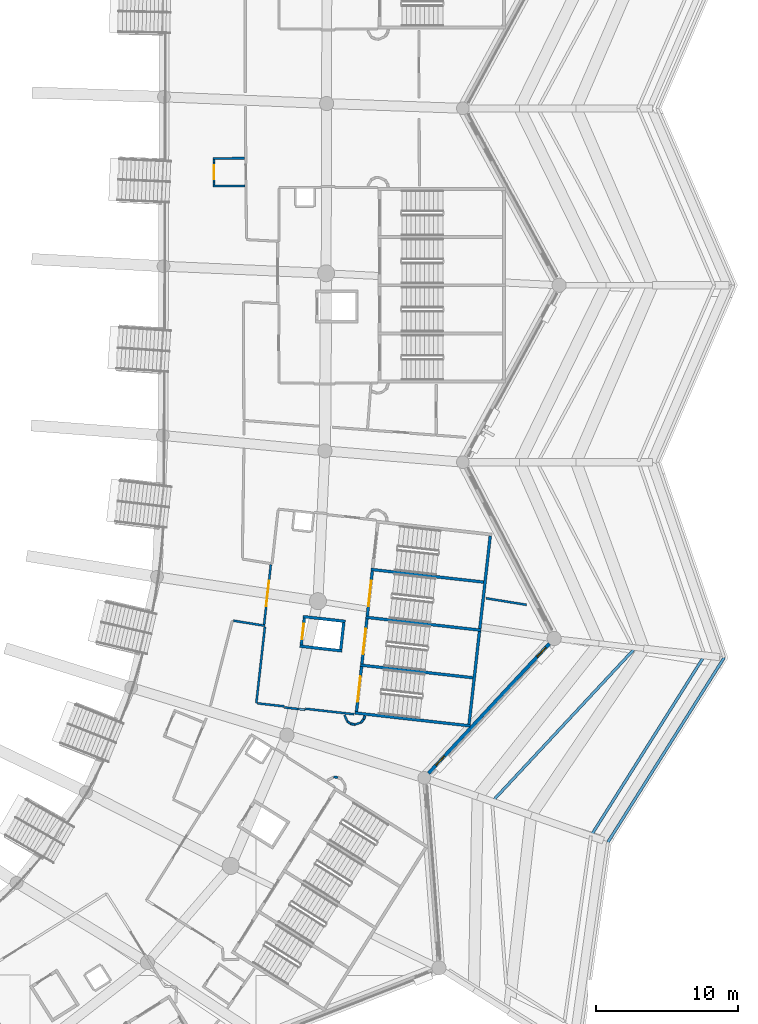
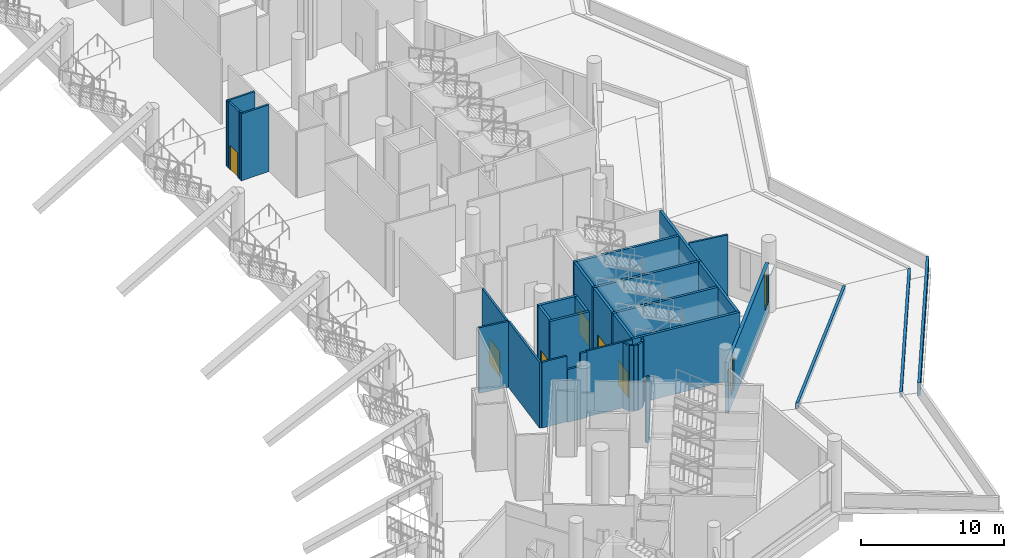
# One storey, part 56 of 173: 37 walls, 6 doors, 2 windows, 8 openings.
"""IFC4 building model written with IfcOpenShell, lengths in metres."""

from ifc_helpers import new_model, si_unit, direction, frame, frame_2d, origin, place, context, subcontext, project, spatial, rectangle, extrude, material, layer, layer_set, type_object, element, fill, save


model = new_model("IFC4")

# Units and contexts
model_context = context("Model", 3, precision=1e-05, world=origin(), true_north=direction((0.0, 1.0)))
body_context = subcontext(model_context, "Body", "Model", "MODEL_VIEW")
ifc_project = project(units=[si_unit("LENGTHUNIT", "METRE"), si_unit("AREAUNIT", "SQUARE_METRE"), si_unit("VOLUMEUNIT", "CUBIC_METRE"), si_unit("PLANEANGLEUNIT", "RADIAN"), si_unit("MASSUNIT", "GRAM", prefix="KILO")], contexts=[model_context])

# Site, building, storey
site_placement = place(None, origin())
site = spatial("IfcSite", under=ifc_project, at=site_placement, CompositionType="ELEMENT")
building_placement = place(site_placement, origin())
building = spatial("IfcBuilding", under=site, at=building_placement, Name="Meseta Stadium", CompositionType="ELEMENT")
storey_placement = place(building_placement, frame((0.0, 0.0, 18.0)))
storey = spatial("IfcBuildingStorey", under=building, at=storey_placement, Name="L03", CompositionType="ELEMENT", Elevation=18.0)

# Walls
ifc_material_1 = material(Name="Concrete C40/50", Category="concrete")
ifc_layer_1 = layer(ifc_material_1, 0.199951171875)
ifc_layer_set_1 = layer_set([ifc_layer_1], Name="Core divider wall 200")
wall_type_1 = type_object("IfcWallType", Name="Core divider wall 200", PredefinedType="SHEAR", material=ifc_layer_set_1)
wall_1_placement = place(storey_placement, frame((95.503662109375, -58.999267578125, 0.0), z_axis=(0.0, 0.0, 1.0), x_axis=(-0.993710792168, 0.111977058046, 0.0)))
element("IfcWall", 1, at=wall_1_placement, inside=storey, type_object=wall_type_1, Name="Core 01 L03 stair A divider wall", PredefinedType="SHEAR", context=body_context, shape_type="SweptSolid", body=[
    extrude(rectangle(XDim=8.199951171875, YDim=0.199951171875, at=frame_2d((4.10009765625, 0.0))), origin(), (0.0, 0.0, 1.0), 5.60009765625),
])
wall_2_placement = place(storey_placement, frame((96.264892578125, -52.241943359375, 0.0), z_axis=(0.0, 0.0, 1.0), x_axis=(-0.993713731549, 0.111950970206, 0.0)))
element("IfcWall", 2, at=wall_2_placement, inside=storey, type_object=wall_type_1, Name="Core 01 L03 stair B divider wall", PredefinedType="SHEAR", context=body_context, shape_type="SweptSolid", body=[
    extrude(rectangle(XDim=8.19970703125, YDim=0.199951171875, at=frame_2d((4.099853515625, 0.0))), origin(), (0.0, 0.0, 1.0), 5.60009765625),
])
ifc_material_2 = material(Name="Concrete C40/50", Category="concrete")
ifc_layer_2 = layer(ifc_material_2, 0.199951171875)
ifc_layer_set_2 = layer_set([ifc_layer_2], Name="Core shaft wall 200")
wall_type_2 = type_object("IfcWallType", Name="Core shaft wall 200", PredefinedType="SHEAR", material=ifc_layer_set_2)
wall_3_placement = place(storey_placement, frame((95.123046875, -62.3779296875, 0.0), z_axis=(0.0, 0.0, 1.0), x_axis=(-0.993710792168, 0.111977058046, 0.0)))
element("IfcWall", 3, at=wall_3_placement, inside=storey, type_object=wall_type_2, Name="Core 01 L03 stair wall A-side", PredefinedType="SHEAR", context=body_context, shape_type="SweptSolid", body=[
    extrude(rectangle(XDim=8.199951171875, YDim=0.199951171875, at=frame_2d((4.10009765625, 0.0))), origin(), (0.0, 0.0, 1.0), 5.60009765625),
])
wall_4_placement = place(storey_placement, frame((95.884521484375, -55.62060546875, 0.0), z_axis=(0.0, 0.0, 1.0), x_axis=(-0.993711165474, 0.111973745194, 0.0)))
element("IfcWall", 4, at=wall_4_placement, inside=storey, type_object=wall_type_2, Name="Core 01 L03 stair wall shared", PredefinedType="SHEAR", context=body_context, shape_type="SweptSolid", body=[
    extrude(rectangle(XDim=8.2001953125, YDim=0.199951171875, at=frame_2d((4.10009765625, 0.0))), origin(), (0.0, 0.0, 1.0), 5.60009765625),
])
for number, where, z_axis, x_axis, name in (
    (5, (95.034912109375, -62.267333984375, 0.0), (0.0, 0.0, 1.0), (0.111933579504, 0.993715690617, 0.0), "Core 01 L03 stair A outer end wall"),
    (6, (95.796142578125, -55.510009765625, 0.0), (0.0, 0.0, 1.0), (0.111970106426, 0.993711575492, 0.0), "Core 01 L03 stair B outer end wall"),
):
    element("IfcWall", number, at=place(storey_placement, frame(where, z_axis=z_axis, x_axis=x_axis)), inside=storey, type_object=wall_type_2, Name=name, PredefinedType="SHEAR", context=body_context, shape_type="SweptSolid", body=[
        extrude(rectangle(XDim=6.60009765625, YDim=0.199951171875, at=frame_2d((3.300048828125, 0.0))), origin(), (0.0, 0.0, 1.0), 5.60009765625),
    ])

# Wall, opening, door
wall_5_placement = place(storey_placement, frame((87.085205078125, -61.37158203125, 0.0), z_axis=(0.0, 0.0, 1.0), x_axis=(0.11192190762, 0.993717005286, 0.0)))
wall_5 = element("IfcWall", 7, at=wall_5_placement, inside=storey, type_object=wall_type_2, Name="Core 01 L03 stair A1 inner end wall", PredefinedType="SHEAR", context=body_context, shape_type="SweptSolid", body=[
    extrude(rectangle(XDim=3.199951171875, YDim=0.199951171875, at=frame_2d((1.60009765625, 0.0))), origin(), (0.0, 0.0, 1.0), 5.60009765625),
])
opening_1_placement = place(wall_5_placement, frame((0.699951171875, 0.0, 0.0)))
opening_1 = element("IfcOpeningElement", 8, at=opening_1_placement, cuts=wall_5, Name="Opening D1471", PredefinedType="OPENING", context=body_context, shape_type="SweptSolid", body=[
    extrude(rectangle(XDim=1.800048828125, YDim=2.10009765625, at=frame_2d((0.89990234375, 1.050048828125))), frame((0.0, 0.10986328125, 0.0), z_axis=(0.0, -1.0, 0.0), x_axis=(1.0, 0.0, 0.0)), (0.0, 0.0, 1.0), 0.219970703125),
])
ifc_material_3 = material(Name="Steel", Category="steel")
door_type_1 = type_object("IfcDoorType", Name="Stair door 1800x2100", OperationType="DOUBLE_DOOR_SINGLE_SWING", PredefinedType="DOOR", material=ifc_material_3)
door_1_placement = place(opening_1_placement, origin())
door_1 = element("IfcDoor", 9, at=door_1_placement, inside=storey, type_object=door_type_1, Name="Stair A1 door 01 L03", OperationType="DOUBLE_DOOR_SINGLE_SWING", OverallHeight=2.10009765625, OverallWidth=1.800048828125, PredefinedType="DOOR", context=body_context, shape_type="SweptSolid", body=[
    extrude(rectangle(XDim=1.800048828125, YDim=2.10009765625, at=frame_2d((0.89990234375, 1.050048828125))), frame((0.0, 0.02490234375, 0.0), z_axis=(0.0, -1.0, 0.0), x_axis=(1.0, 0.0, 0.0)), (0.0, 0.0, 1.0), 0.050048828125),
])
fill(opening_1, door_1)

wall_6_placement = place(storey_placement, frame((87.4658203125, -57.992919921875, 0.0), z_axis=(0.0, 0.0, 1.0), x_axis=(0.111997244021, 0.993708517288, 0.0)))
wall_6 = element("IfcWall", 10, at=wall_6_placement, inside=storey, type_object=wall_type_2, Name="Core 01 L03 stair A2 inner end wall", PredefinedType="SHEAR", context=body_context, shape_type="SweptSolid", body=[
    extrude(rectangle(XDim=3.199951171875, YDim=0.199951171875, at=frame_2d((1.60009765625, 0.0))), origin(), (0.0, 0.0, 1.0), 5.60009765625),
])
opening_2_placement = place(wall_6_placement, frame((0.699951171875, 0.0, 0.0)))
opening_2 = element("IfcOpeningElement", 11, at=opening_2_placement, cuts=wall_6, Name="Opening D1473", PredefinedType="OPENING", context=body_context, shape_type="SweptSolid", body=[
    extrude(rectangle(XDim=1.800048828125, YDim=2.10009765625, at=frame_2d((0.89990234375, 1.050048828125))), frame((0.0, 0.10986328125, 0.0), z_axis=(0.0, -1.0, 0.0), x_axis=(1.0, 0.0, 0.0)), (0.0, 0.0, 1.0), 0.219970703125),
])
door_2_placement = place(opening_2_placement, origin())
door_2 = element("IfcDoor", 12, at=door_2_placement, inside=storey, type_object=door_type_1, Name="Stair A2 door 01 L03", OperationType="DOUBLE_DOOR_SINGLE_SWING", OverallHeight=2.10009765625, OverallWidth=1.800048828125, PredefinedType="DOOR", context=body_context, shape_type="SweptSolid", body=[
    extrude(rectangle(XDim=1.800048828125, YDim=2.10009765625, at=frame_2d((0.89990234375, 1.050048828125))), frame((0.0, 0.02490234375, 0.0), z_axis=(0.0, -1.0, 0.0), x_axis=(1.0, 0.0, 0.0)), (0.0, 0.0, 1.0), 0.050048828125),
])
fill(opening_2, door_2)

wall_7_placement = place(storey_placement, frame((87.846435546875, -54.6142578125, 0.0), z_axis=(0.0, 0.0, 1.0), x_axis=(0.112005735442, 0.993707560215, 0.0)))
wall_7 = element("IfcWall", 13, at=wall_7_placement, inside=storey, type_object=wall_type_2, Name="Core 01 L03 stair B1 inner end wall", PredefinedType="SHEAR", context=body_context, shape_type="SweptSolid", body=[
    extrude(rectangle(XDim=3.19970703125, YDim=0.199951171875, at=frame_2d((1.599853515625, 0.0))), origin(), (0.0, 0.0, 1.0), 5.60009765625),
])
opening_3_placement = place(wall_7_placement, frame((0.699951171875, 0.0, 0.0)))
opening_3 = element("IfcOpeningElement", 14, at=opening_3_placement, cuts=wall_7, Name="Opening D1474", PredefinedType="OPENING", context=body_context, shape_type="SweptSolid", body=[
    extrude(rectangle(XDim=1.800048828125, YDim=2.10009765625, at=frame_2d((0.89990234375, 1.050048828125))), frame((0.0, 0.10986328125, 0.0), z_axis=(0.0, -1.0, 0.0), x_axis=(1.0, 0.0, 0.0)), (0.0, 0.0, 1.0), 0.219970703125),
])
door_3_placement = place(opening_3_placement, origin())
door_3 = element("IfcDoor", 15, at=door_3_placement, inside=storey, type_object=door_type_1, Name="Stair B1 door 01 L03", OperationType="DOUBLE_DOOR_SINGLE_SWING", OverallHeight=2.10009765625, OverallWidth=1.800048828125, PredefinedType="DOOR", context=body_context, shape_type="SweptSolid", body=[
    extrude(rectangle(XDim=1.800048828125, YDim=2.10009765625, at=frame_2d((0.89990234375, 1.050048828125))), frame((0.0, 0.02490234375, 0.0), z_axis=(0.0, -1.0, 0.0), x_axis=(1.0, 0.0, 0.0)), (0.0, 0.0, 1.0), 0.050048828125),
])
fill(opening_3, door_3)

# Walls
for number, where, z_axis, x_axis, name in (
    (16, (86.05908203125, -57.07958984375, 0.0), (0.0, 0.0, 1.0), (-0.993718878013, 0.111905279056, 0.0), "Core 01 L03 lift shaft wall left"),
    (17, (86.294189453125, -54.992919921875, 0.0), (0.0, 0.0, 1.0), (-0.993709824566, 0.111985644439, 0.0), "Core 01 L03 lift shaft wall right"),
):
    element("IfcWall", number, at=place(storey_placement, frame(where, z_axis=z_axis, x_axis=x_axis)), inside=storey, type_object=wall_type_2, Name=name, PredefinedType="SHEAR", context=body_context, shape_type="SweptSolid", body=[
        extrude(rectangle(XDim=2.999755859375, YDim=0.199951171875, at=frame_2d((1.5, 0.0))), origin(), (0.0, 0.0, 1.0), 5.60009765625),
    ])
wall_8_placement = place(storey_placement, frame((85.970947265625, -56.96923828125, 0.0), z_axis=(0.0, 0.0, 1.0), x_axis=(0.112039012324, 0.993703808847, 0.0)))
element("IfcWall", 18, at=wall_8_placement, inside=storey, type_object=wall_type_2, Name="Core 01 L03 lift shaft back wall", PredefinedType="SHEAR", context=body_context, shape_type="SweptSolid", body=[
    extrude(rectangle(XDim=1.900146484375, YDim=0.199951171875, at=frame_2d((0.9501953125, 0.0))), origin(), (0.0, 0.0, 1.0), 5.60009765625),
])

# Wall, opening, door
wall_9_placement = place(storey_placement, frame((83.188720703125, -56.65576171875, 0.0), z_axis=(0.0, 0.0, 1.0), x_axis=(0.11191213732, 0.993718105662, 0.0)))
wall_9 = element("IfcWall", 19, at=wall_9_placement, inside=storey, type_object=wall_type_2, Name="Core 01 L03 lift shaft front wall", PredefinedType="SHEAR", context=body_context, shape_type="SweptSolid", body=[
    extrude(rectangle(XDim=1.900146484375, YDim=0.199951171875, at=frame_2d((0.9501953125, 0.0))), origin(), (0.0, 0.0, 1.0), 5.60009765625),
])
opening_4_placement = place(wall_9_placement, frame((0.39990234375, 0.0, 0.0)))
opening_4 = element("IfcOpeningElement", 20, at=opening_4_placement, cuts=wall_9, Name="Opening LD5", PredefinedType="OPENING", context=body_context, shape_type="SweptSolid", body=[
    extrude(rectangle(XDim=1.10009765625, YDim=2.10009765625, at=frame_2d((0.550048828125, 1.050048828125))), frame((0.0, 0.10986328125, 0.0), z_axis=(0.0, -1.0, 0.0), x_axis=(1.0, 0.0, 0.0)), (0.0, 0.0, 1.0), 0.219970703125),
])
ifc_material_4 = material(Name="Steel", Category="steel")
door_type_2 = type_object("IfcDoorType", Name="Lift landing door 1100x2100", OperationType="SLIDING_TO_LEFT", PredefinedType="DOOR", material=ifc_material_4)
door_4_placement = place(opening_4_placement, origin())
door_4 = element("IfcDoor", 21, at=door_4_placement, inside=storey, type_object=door_type_2, Name="Lift landing door LD5", OperationType="SLIDING_TO_LEFT", OverallHeight=2.10009765625, OverallWidth=1.10009765625, PredefinedType="DOOR", context=body_context, shape_type="SweptSolid", body=[
    extrude(rectangle(XDim=1.10009765625, YDim=2.10009765625, at=frame_2d((0.550048828125, 1.050048828125))), frame((0.0, 0.02490234375, 0.0), z_axis=(0.0, -1.0, 0.0), x_axis=(1.0, 0.0, 0.0)), (0.0, 0.0, 1.0), 0.050048828125),
])
fill(opening_4, door_4)

# Walls
ifc_material_5 = material(Name="Masonry blockwork", Category="masonry")
ifc_layer_3 = layer(ifc_material_5, 0.14990234375)
ifc_layer_set_3 = layer_set([ifc_layer_3], Name="Partition 150")
wall_type_3 = type_object("IfcWallType", Name="Partition 150", PredefinedType="PARTITIONING", material=ifc_layer_set_3)
wall_10_placement = place(storey_placement, frame((99.100341796875, -53.82373046875, 0.0), z_axis=(0.0, 0.0, 1.0), x_axis=(-0.987267596089, 0.159068204593, 0.0)))
element("IfcWall", 22, at=wall_10_placement, inside=storey, type_object=wall_type_3, Name="Partition L03 L03-cell00-1-0w", PredefinedType="PARTITIONING", context=body_context, shape_type="SweptSolid", body=[
    extrude(rectangle(XDim=2.897705078125, YDim=0.14990234375, at=frame_2d((1.44873046875, 0.0))), origin(), (0.0, 0.0, 1.0), 5.60009765625),
])
wall_11_placement = place(storey_placement, frame((78.3935546875, -54.9453125, 0.0), z_axis=(0.0, 0.0, 1.0), x_axis=(0.98726467594, -0.159086327639, 0.0)))
element("IfcWall", 23, at=wall_11_placement, inside=storey, type_object=wall_type_3, Name="Partition L03 L03-cell27-1-0", PredefinedType="PARTITIONING", context=body_context, shape_type="SweptSolid", body=[
    extrude(rectangle(XDim=2.259033203125, YDim=0.14990234375, at=frame_2d((1.12939453125, 0.0))), origin(), (0.0, 0.0, 1.0), 5.60009765625),
])
wall_12_placement = place(storey_placement, frame((80.615478515625, -55.379150390625, 0.0), z_axis=(0.0, 0.0, 1.0), x_axis=(-0.111990669248, -0.993709258285, 0.0)))
element("IfcWall", 24, at=wall_12_placement, inside=storey, type_object=wall_type_3, Name="Partition L03 L03-cell27-1-0", PredefinedType="PARTITIONING", context=body_context, shape_type="SweptSolid", body=[
    extrude(rectangle(XDim=5.430419921875, YDim=0.14990234375, at=frame_2d((2.71533203125, 0.0))), origin(), (0.0, 0.0, 1.0), 5.60009765625),
])
wall_13_placement = place(storey_placement, frame((80.081787109375, -60.78369140625, 0.0), z_axis=(0.0, 0.0, 1.0), x_axis=(0.993706666168, -0.112013667081, 0.0)))
element("IfcWall", 25, at=wall_13_placement, inside=storey, type_object=wall_type_3, Name="Partition L03 L03-cell27-1-0", PredefinedType="PARTITIONING", context=body_context, shape_type="SweptSolid", body=[
    extrude(rectangle(XDim=1.91357421875, YDim=0.14990234375, at=frame_2d((0.956787109375, 0.0))), origin(), (0.0, 0.0, 1.0), 5.60009765625),
])
wall_14_placement = place(storey_placement, frame((83.465576171875, -61.1650390625, 0.0), z_axis=(0.0, 0.0, 1.0), x_axis=(0.993711425552, -0.111971437107, 0.0)))
element("IfcWall", 26, at=wall_14_placement, inside=storey, type_object=wall_type_3, Name="Partition L03 L03-cell27-1-0", PredefinedType="PARTITIONING", context=body_context, shape_type="SweptSolid", body=[
    extrude(rectangle(XDim=3.47998046875, YDim=0.14990234375, at=frame_2d((1.739990234375, 0.0))), origin(), (0.0, 0.0, 1.0), 5.60009765625),
])

# Wall, opening, door
wall_15_placement = place(storey_placement, frame((81.034423828125, -50.99072265625, 0.0), z_axis=(0.0, 0.0, 1.0), x_axis=(-0.111964336601, -0.993712225611, 0.0)))
wall_15 = element("IfcWall", 27, at=wall_15_placement, inside=storey, type_object=wall_type_3, Name="Stair vestibule wall L03 core 01", PredefinedType="PARTITIONING", context=body_context, shape_type="SweptSolid", body=[
    extrude(rectangle(XDim=4.24755859375, YDim=0.14990234375, at=frame_2d((2.123779296875, 0.0))), origin(), (0.0, 0.0, 1.0), 5.60009765625),
])
opening_5_placement = place(wall_15_placement, frame((1.14990234375, 0.0, 0.0)))
opening_5 = element("IfcOpeningElement", 28, at=opening_5_placement, cuts=wall_15, Name="Opening D1456", PredefinedType="OPENING", context=body_context, shape_type="SweptSolid", body=[
    extrude(rectangle(XDim=1.800048828125, YDim=2.10009765625, at=frame_2d((0.89990234375, 1.050048828125))), frame((0.0, 0.0849609375, 0.0), z_axis=(0.0, -1.0, 0.0), x_axis=(1.0, 0.0, 0.0)), (0.0, 0.0, 1.0), 0.169921875),
])
ifc_material_6 = material(Name="Steel", Category="steel")
door_type_3 = type_object("IfcDoorType", Name="Fire double door 1800x2100 EI2 60", OperationType="DOUBLE_DOOR_SINGLE_SWING", PredefinedType="DOOR", material=ifc_material_6)
door_5_placement = place(opening_5_placement, origin())
door_5 = element("IfcDoor", 29, at=door_5_placement, inside=storey, type_object=door_type_3, Name="Stair vestibule door L03 core 01", OperationType="DOUBLE_DOOR_SINGLE_SWING", OverallHeight=2.10009765625, OverallWidth=1.800048828125, PredefinedType="DOOR", context=body_context, shape_type="SweptSolid", body=[
    extrude(rectangle(XDim=1.800048828125, YDim=2.10009765625, at=frame_2d((0.89990234375, 1.050048828125))), frame((0.0, 0.02490234375, 0.0), z_axis=(0.0, -1.0, 0.0), x_axis=(1.0, 0.0, 0.0)), (0.0, 0.0, 1.0), 0.050048828125),
])
fill(opening_5, door_5)

# Walls
wall_16_placement = place(storey_placement, frame((81.985107421875, -61.073486328125, 0.0), z_axis=(0.0, 0.0, 1.0), x_axis=(0.993708484681, -0.111997533338, 0.0)))
element("IfcWall", 30, at=wall_16_placement, inside=storey, type_object=wall_type_3, Name="Stair vestibule wall L03 core 01", PredefinedType="PARTITIONING", context=body_context, shape_type="SweptSolid", body=[
    extrude(rectangle(XDim=1.471435546875, YDim=0.14990234375, at=frame_2d((0.73583984375, 0.0))), origin(), (0.0, 0.0, 1.0), 4.5),
])
wall_17_placement = place(storey_placement, frame((82.959716796875, -61.18359375, 4.5), z_axis=(0.0, 0.0, 1.0), x_axis=(0.993767888304, -0.111469207301, 0.0)))
element("IfcWall", 31, at=wall_17_placement, inside=storey, type_object=wall_type_3, Name="Stair vestibule wall L03 core 01", PredefinedType="PARTITIONING", context=body_context, shape_type="SweptSolid", body=[
    extrude(rectangle(XDim=0.49072265625, YDim=0.14990234375, at=frame_2d((0.245361328125, 0.0))), origin(), (0.0, 0.0, 1.0), 1.10009765625),
])
wall_18_placement = place(storey_placement, frame((86.230712890625, -61.6064453125, 0.0), z_axis=(0.0, 0.0, 1.0), x_axis=(0.413545730988, -0.910483348767, 0.0)))
element("IfcWall", 32, at=wall_18_placement, inside=storey, type_object=wall_type_3, Name="Stair vestibule wall L03 core 01", PredefinedType="PARTITIONING", context=body_context, shape_type="SweptSolid", body=[
    extrude(rectangle(XDim=0.500732421875, YDim=0.14990234375, at=frame_2d((0.25048828125, 0.0))), origin(), (0.0, 0.0, 1.0), 5.60009765625),
])
wall_19_placement = place(storey_placement, frame((86.437744140625, -62.062255859375, 0.0), z_axis=(0.0, 0.0, 1.0), x_axis=(0.823647755069, -0.567101732998, 0.0)))
element("IfcWall", 33, at=wall_19_placement, inside=storey, type_object=wall_type_3, Name="Stair vestibule wall L03 core 01", PredefinedType="PARTITIONING", context=body_context, shape_type="SweptSolid", body=[
    extrude(rectangle(XDim=0.289306640625, YDim=0.14990234375, at=frame_2d((0.14453125, 0.0))), origin(), (0.0, 0.0, 1.0), 5.60009765625),
])
wall_20_placement = place(storey_placement, frame((86.676025390625, -62.226318359375, 0.0), z_axis=(0.0, 0.0, 1.0), x_axis=(0.97799972908, -0.20860615983, 0.0)))
element("IfcWall", 34, at=wall_20_placement, inside=storey, type_object=wall_type_3, Name="Stair vestibule wall L03 core 01", PredefinedType="PARTITIONING", context=body_context, shape_type="SweptSolid", body=[
    extrude(rectangle(XDim=0.2890625, YDim=0.14990234375, at=frame_2d((0.14453125, 0.0))), origin(), (0.0, 0.0, 1.0), 5.60009765625),
])
wall_21_placement = place(storey_placement, frame((86.958740234375, -62.28662109375, 0.0), z_axis=(0.0, 0.0, 1.0), x_axis=(0.946315679365, 0.323243924904, 0.0)))
element("IfcWall", 35, at=wall_21_placement, inside=storey, type_object=wall_type_3, Name="Stair vestibule wall L03 core 01", PredefinedType="PARTITIONING", context=body_context, shape_type="SweptSolid", body=[
    extrude(rectangle(XDim=0.4794921875, YDim=0.14990234375, at=frame_2d((0.23974609375, 0.0))), origin(), (0.0, 0.0, 1.0), 5.60009765625),
])
wall_22_placement = place(storey_placement, frame((87.41259765625, -62.131591796875, 0.0), z_axis=(0.0, 0.0, 1.0), x_axis=(0.645257808193, 0.763964895114, 0.0)))
element("IfcWall", 36, at=wall_22_placement, inside=storey, type_object=wall_type_3, Name="Stair vestibule wall L03 core 01", PredefinedType="PARTITIONING", context=body_context, shape_type="SweptSolid", body=[
    extrude(rectangle(XDim=0.287841796875, YDim=0.14990234375, at=frame_2d((0.14404296875, 0.0))), origin(), (0.0, 0.0, 1.0), 5.60009765625),
])
wall_23_placement = place(storey_placement, frame((87.598388671875, -61.91162109375, 0.0), z_axis=(0.0, 0.0, 1.0), x_axis=(0.337477145114, 0.941333722187, 0.0)))
element("IfcWall", 37, at=wall_23_placement, inside=storey, type_object=wall_type_3, Name="Stair vestibule wall L03 core 01", PredefinedType="PARTITIONING", context=body_context, shape_type="SweptSolid", body=[
    extrude(rectangle(XDim=0.257568359375, YDim=0.14990234375, at=frame_2d((0.12890625, 0.0))), origin(), (0.0, 0.0, 1.0), 5.60009765625),
])
wall_24_placement = place(storey_placement, frame((85.763427734375, -66.014892578125, 0.0), z_axis=(0.0, 0.0, 1.0), x_axis=(-0.997547794052, 0.06998856036, 0.0)))
element("IfcWall", 38, at=wall_24_placement, inside=storey, type_object=wall_type_3, Name="Stair vestibule wall L03 core 28", PredefinedType="PARTITIONING", context=body_context, shape_type="SweptSolid", body=[
    extrude(rectangle(XDim=0.28955078125, YDim=0.14990234375, at=frame_2d((0.144775390625, 0.0))), origin(), (0.0, 0.0, 1.0), 5.60009765625),
])
wall_25_placement = place(storey_placement, frame((79.205810546875, -24.222900390625, 0.0), z_axis=(0.0, 0.0, 1.0), x_axis=(-0.999965098525, -0.008354743119, 0.0)))
element("IfcWall", 39, at=wall_25_placement, inside=storey, type_object=wall_type_3, Name="Partition L03 L03-cell01-1-0 vestibule", PredefinedType="PARTITIONING", context=body_context, shape_type="SweptSolid", body=[
    extrude(rectangle(XDim=2.25, YDim=0.14990234375, at=frame_2d((1.125, 0.0))), origin(), (0.0, 0.0, 1.0), 5.69921875),
])
wall_26_placement = place(storey_placement, frame((79.189453125, -22.272705078125, 0.0), z_axis=(0.0, 0.0, 1.0), x_axis=(-0.999963262016, -0.008571733691, 0.0)))
element("IfcWall", 40, at=wall_26_placement, inside=storey, type_object=wall_type_3, Name="Partition L03 L03-cell01-1-0 vestibule", PredefinedType="PARTITIONING", context=body_context, shape_type="SweptSolid", body=[
    extrude(rectangle(XDim=2.25, YDim=0.14990234375, at=frame_2d((1.125, 0.0))), origin(), (0.0, 0.0, 1.0), 5.635498046875),
])
wall_27_placement = place(storey_placement, frame((77.0302734375, -24.166259765625, 0.0), z_axis=(0.0, 0.0, 1.0), x_axis=(-0.008546696379, 0.999963476324, 0.0)))
element("IfcWall", 41, at=wall_27_placement, inside=storey, type_object=wall_type_3, Name="Partition L03 L03-cell01-1-0 vestibule", PredefinedType="PARTITIONING", context=body_context, shape_type="SweptSolid", body=[
    extrude(rectangle(XDim=0.199951171875, YDim=0.14990234375, at=frame_2d((0.10009765625, 0.0))), origin(), (0.0, 0.0, 1.0), 5.7314453125),
])

# Wall, opening, door
wall_28_placement = place(storey_placement, frame((77.028564453125, -23.96630859375, 0.0), z_axis=(0.0, 0.0, 1.0), x_axis=(-0.008369366846, 0.999964976236, 0.0)))
wall_28 = element("IfcWall", 42, at=wall_28_placement, inside=storey, type_object=wall_type_3, Name="Partition L03 L03-cell01-1-0 vestibule", PredefinedType="PARTITIONING", context=body_context, shape_type="SweptSolid", body=[
    extrude(rectangle(XDim=1.400146484375, YDim=0.14990234375, at=frame_2d((0.7001953125, 0.0))), origin(), (0.0, 0.0, 1.0), 5.691162109375),
])
opening_6_placement = place(wall_28_placement, frame((0.199951171875, 0.0, 0.0)))
opening_6 = element("IfcOpeningElement", 43, at=opening_6_placement, cuts=wall_28, Name="Opening D1447", PredefinedType="OPENING", context=body_context, shape_type="SweptSolid", body=[
    extrude(rectangle(XDim=1.0, YDim=2.10009765625, at=frame_2d((0.5, 1.050048828125))), frame((0.0, 0.0849609375, 0.0), z_axis=(0.0, -1.0, 0.0), x_axis=(1.0, 0.0, 0.0)), (0.0, 0.0, 1.0), 0.169921875),
])
ifc_material_7 = material(Name="Steel", Category="steel")
door_type_4 = type_object("IfcDoorType", Name="Fire door 1000x2100 EI2 60", OperationType="NOTDEFINED", PredefinedType="DOOR", material=ifc_material_7)
door_6_placement = place(opening_6_placement, origin())
door_6 = element("IfcDoor", 44, at=door_6_placement, inside=storey, type_object=door_type_4, Name="Vestibule door L03 L03-cell01-1-0", OperationType="SINGLE_SWING_RIGHT", OverallHeight=2.10009765625, OverallWidth=1.0, PredefinedType="DOOR", context=body_context, shape_type="SweptSolid", body=[
    extrude(rectangle(XDim=1.0, YDim=2.10009765625, at=frame_2d((0.5, 1.050048828125))), frame((0.0, 0.02490234375, 0.0), z_axis=(0.0, -1.0, 0.0), x_axis=(1.0, 0.0, 0.0)), (0.0, 0.0, 1.0), 0.050048828125),
])
fill(opening_6, door_6)

# Walls
wall_29_placement = place(storey_placement, frame((77.016845703125, -22.566162109375, 0.0), z_axis=(0.0, 0.0, 1.0), x_axis=(-0.008546696379, 0.999963476324, 0.0)))
element("IfcWall", 45, at=wall_29_placement, inside=storey, type_object=wall_type_3, Name="Partition L03 L03-cell01-1-0 vestibule", PredefinedType="PARTITIONING", context=body_context, shape_type="SweptSolid", body=[
    extrude(rectangle(XDim=0.199951171875, YDim=0.14990234375, at=frame_2d((0.10009765625, 0.0))), origin(), (0.0, 0.0, 1.0), 5.684814453125),
])
ifc_material_8 = material(Name="Precast concrete C40/50", Category="concrete")
ifc_layer_4 = layer(ifc_material_8, 0.199951171875)
ifc_layer_set_4 = layer_set([ifc_layer_4], Name="Planter kerb 200")
wall_type_4 = type_object("IfcWallType", Name="Planter kerb 200", PredefinedType="USERDEFINED", material=ifc_layer_set_4)
wall_30_placement = place(storey_placement, frame((111.68310546875, -57.393798828125, 0.0), z_axis=(0.0, 0.0, 1.0), x_axis=(-0.533106644423, -0.846048051633, 0.0)))
element("IfcWall", 46, at=wall_30_placement, inside=storey, type_object=wall_type_4, Name="Planter kerb 8.1.5", ObjectType="PLANTER", PredefinedType="USERDEFINED", context=body_context, shape_type="SweptSolid", body=[
    extrude(rectangle(XDim=15.0732421875, YDim=0.199951171875, at=frame_2d((7.53662109375, 0.0))), origin(), (0.0, 0.0, 1.0), 0.5),
])
wall_31_placement = place(storey_placement, frame((96.666015625, -67.728759765625, 0.0), z_axis=(0.0, 0.0, 1.0), x_axis=(0.681799134681, 0.731539431574, 0.0)))
element("IfcWall", 47, at=wall_31_placement, inside=storey, type_object=wall_type_4, Name="Planter kerb 8.1.9", ObjectType="PLANTER", PredefinedType="USERDEFINED", context=body_context, shape_type="SweptSolid", body=[
    extrude(rectangle(XDim=14.700439453125, YDim=0.199951171875, at=frame_2d((7.35009765625, 0.0))), origin(), (0.0, 0.0, 1.0), 0.5),
])

# Wall, openings, windows
ifc_material_9 = material(Name="White precast concrete C40/50", Category="concrete")
ifc_layer_5 = layer(ifc_material_9, 0.25)
ifc_layer_set_5 = layer_set([ifc_layer_5], Name="Pleated panel wall 250")
wall_type_5 = type_object("IfcWallType", Name="Pleated panel wall 250", PredefinedType="SOLIDWALL", material=ifc_layer_set_5)
wall_32_placement = place(storey_placement, frame((100.711181640625, -56.568115234375, 0.0), z_axis=(0.0, 0.0, 1.0), x_axis=(-0.681794658463, -0.731543603411, 0.0)))
wall_32 = element("IfcWall", 48, at=wall_32_placement, inside=storey, type_object=wall_type_5, Name="Pleated facade panel L03 F55", PredefinedType="SOLIDWALL", context=body_context, shape_type="SweptSolid", body=[
    extrude(rectangle(XDim=12.513916015625, YDim=0.25, at=frame_2d((6.2568359375, 0.0))), origin(), (0.0, 0.0, 1.0), 4.300048828125),
])
opening_7_placement = place(wall_32_placement, frame((10.863525390625, 0.0, 1.0)))
opening_7 = element("IfcOpeningElement", 49, at=opening_7_placement, cuts=wall_32, Name="Opening W149", PredefinedType="OPENING", context=body_context, shape_type="SweptSolid", body=[
    extrude(rectangle(XDim=0.89990234375, YDim=3.25, at=frame_2d((0.449951171875, 1.625))), frame((0.0, 0.135009765625, 0.0), z_axis=(0.0, -1.0, 0.0), x_axis=(1.0, 0.0, 0.0)), (0.0, 0.0, 1.0), 0.27001953125),
])
opening_8_placement = place(wall_32_placement, frame((0.363525390625, 0.0, 1.0)))
opening_8 = element("IfcOpeningElement", 50, at=opening_8_placement, cuts=wall_32, Name="Opening W169", PredefinedType="OPENING", context=body_context, shape_type="SweptSolid", body=[
    extrude(rectangle(XDim=0.89990234375, YDim=3.25, at=frame_2d((0.449951171875, 1.625))), frame((0.0, 0.135009765625, 0.0), z_axis=(0.0, -1.0, 0.0), x_axis=(1.0, 0.0, 0.0)), (0.0, 0.0, 1.0), 0.27001953125),
])
ifc_material_10 = material(Name="Aluminium", Category="aluminium")
window_type = type_object("IfcWindowType", Name="Slot window 900x3250", PartitioningType="SINGLE_PANEL", PredefinedType="WINDOW", material=ifc_material_10)
window_1_placement = place(opening_7_placement, origin())
window_1 = element("IfcWindow", 51, at=window_1_placement, inside=storey, type_object=window_type, Name="Slot window L03 F55.1", OverallHeight=3.25, OverallWidth=0.89990234375, PartitioningType="SINGLE_PANEL", PredefinedType="WINDOW", context=body_context, shape_type="SweptSolid", body=[
    extrude(rectangle(XDim=0.89990234375, YDim=3.25, at=frame_2d((0.449951171875, 1.625))), frame((0.0, 0.030029296875, 0.0), z_axis=(0.0, -1.0, 0.0), x_axis=(1.0, 0.0, 0.0)), (0.0, 0.0, 1.0), 0.06005859375),
])
fill(opening_7, window_1)
window_2_placement = place(opening_8_placement, origin())
window_2 = element("IfcWindow", 52, at=window_2_placement, inside=storey, type_object=window_type, Name="Slot window L03 F55.6", OverallHeight=3.25, OverallWidth=0.89990234375, PartitioningType="SINGLE_PANEL", PredefinedType="WINDOW", context=body_context, shape_type="SweptSolid", body=[
    extrude(rectangle(XDim=0.89990234375, YDim=3.25, at=frame_2d((0.449951171875, 1.625))), frame((0.0, 0.030029296875, 0.0), z_axis=(0.0, -1.0, 0.0), x_axis=(1.0, 0.0, 0.0)), (0.0, 0.0, 1.0), 0.06005859375),
])
fill(opening_8, window_2)

# Wall
ifc_material_11 = material(Name="Concrete C40/50", Category="concrete")
ifc_layer_6 = layer(ifc_material_11, 0.199951171875)
ifc_layer_set_6 = layer_set([ifc_layer_6], Name="Roof parapet 200")
wall_type_6 = type_object("IfcWallType", Name="Roof parapet 200", PredefinedType="PARAPET", material=ifc_layer_set_6)
wall_33_placement = place(storey_placement, frame((113.059326171875, -57.5546875, 0.0), z_axis=(0.0, 0.0, 1.0), x_axis=(-0.533109586611, -0.846046197712, 0.0)))
element("IfcWall", 53, at=wall_33_placement, inside=storey, type_object=wall_type_6, Name="Roof parapet 8.53.1", PredefinedType="PARAPET", context=body_context, shape_type="SweptSolid", body=[
    extrude(rectangle(XDim=15.404296875, YDim=0.199951171875, at=frame_2d((7.7021484375, 0.0))), origin(), (0.0, 0.0, 1.0), 1.10009765625),
])

save(model, "model.ifc")
